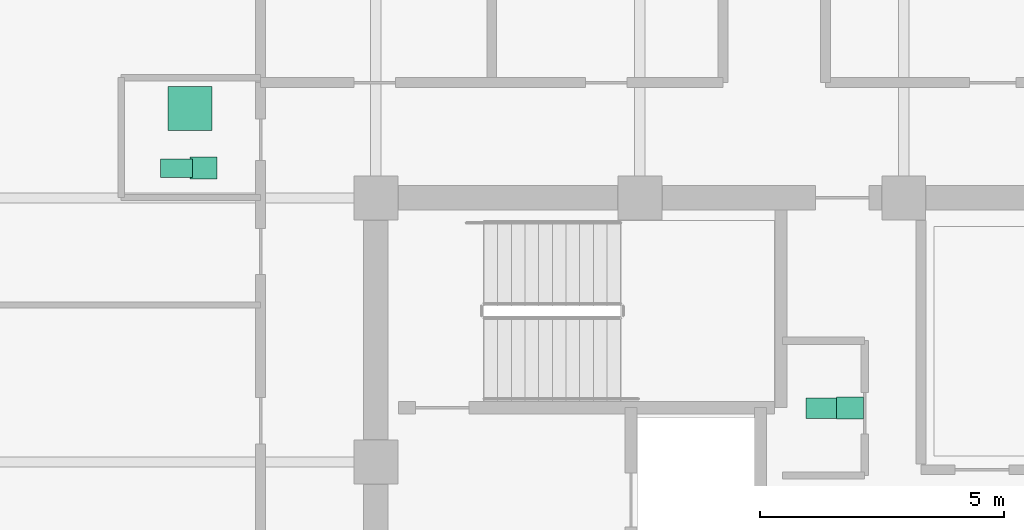
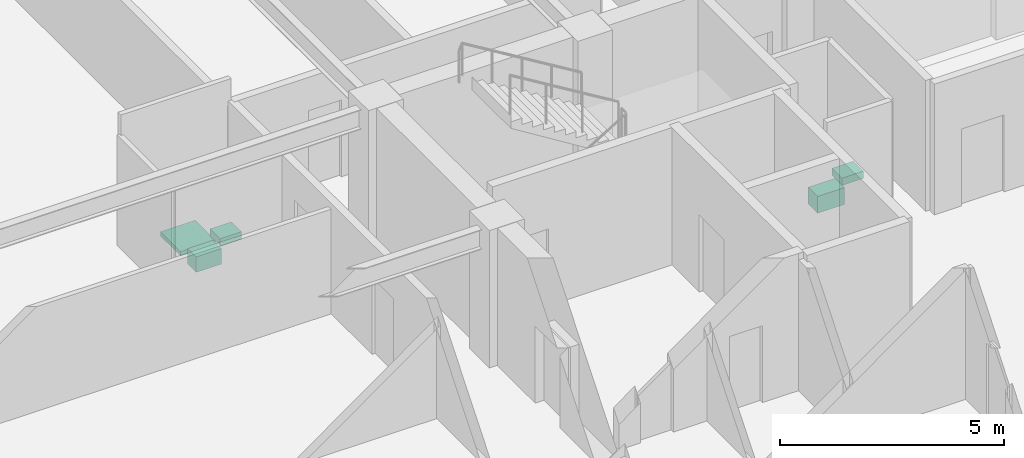
# One storey, part 30 of 30: 5 sanitary terminals.
"""IFC4 building model written with IfcOpenShell, lengths in metres."""

from ifc_helpers import new_model, si_unit, direction, frame, origin, origin_2d, place, context, subcontext, project, spatial, rectangle, extrude, material, type_object, element, save


model = new_model("IFC4")

# Units and contexts
model_context = context("Model", 3, precision=1e-05, world=origin(), true_north=direction((0.0, 1.0)))
body_context = subcontext(model_context, "Body", "Model", "MODEL_VIEW")
ifc_project = project(units=[si_unit("LENGTHUNIT", "METRE"), si_unit("AREAUNIT", "SQUARE_METRE"), si_unit("VOLUMEUNIT", "CUBIC_METRE"), si_unit("PLANEANGLEUNIT", "RADIAN"), si_unit("MASSUNIT", "GRAM", prefix="KILO")], contexts=[model_context])

# Site, building, storey
site_placement = place(None, origin())
site = spatial("IfcSite", under=ifc_project, at=site_placement, CompositionType="ELEMENT")
building_placement = place(site_placement, origin())
building = spatial("IfcBuilding", under=site, at=building_placement, Name="Surkhivell Harbour Commons", CompositionType="ELEMENT")
storey_placement = place(building_placement, frame((0.0, 0.0, 281.25)))
storey = spatial("IfcBuildingStorey", under=building, at=storey_placement, Name="L73", CompositionType="ELEMENT", Elevation=281.25)

# Sanitary terminals
ifc_material_1 = material(Name="Vitreous china washbasin", Category="other")
sanitary_terminal_type_1 = type_object("IfcSanitaryTerminalType", Name="SAN-BSN", PredefinedType="WASHHANDBASIN", material=ifc_material_1)
for number, where, z_axis, x_axis, name in (
    (1, (-1.10009765625, 6.5, 0.72021484375), (0.0, 0.0, 1.0), (1.0, 0.0, 0.0), "L73 Core Accessible WC Washbasin"),
    (2, (-14.330078125, 11.409912109375, 0.72021484375), (0.0, 0.0, 1.0), (1.0, 0.0, 0.0), "L73 West Communal Bathroom WC Washbasin"),
):
    element("IfcSanitaryTerminal", number, at=place(storey_placement, frame(where, z_axis=z_axis, x_axis=x_axis)), inside=storey, type_object=sanitary_terminal_type_1, Name=name, PredefinedType="WASHHANDBASIN", context=body_context, shape_type="SweptSolid", body=[
        extrude(rectangle(XDim=0.550048828125, YDim=0.449951171875, at=origin_2d()), origin(), (0.0, 0.0, 1.0), 0.199951171875),
    ])
ifc_material_2 = material(Name="Glazed porcelain shower tray", Category="other")
sanitary_terminal_type_2 = type_object("IfcSanitaryTerminalType", Name="SAN-SHW", PredefinedType="SHOWER", material=ifc_material_2)
sanitary_terminal_1_placement = place(storey_placement, frame((-14.60009765625, 12.6298828125, 0.0), z_axis=(0.0, 0.0, 1.0), x_axis=(1.0, 0.0, 0.0)))
element("IfcSanitaryTerminal", 3, at=sanitary_terminal_1_placement, inside=storey, type_object=sanitary_terminal_type_2, Name="L73 West Communal Shower Tray", PredefinedType="SHOWER", context=body_context, shape_type="SweptSolid", body=[
    extrude(rectangle(XDim=0.89990234375, YDim=0.89990234375, at=origin_2d()), origin(), (0.0, 0.0, 1.0), 0.1201171875),
])
ifc_material_3 = material(Name="Vitreous china sanitaryware", Category="other")
sanitary_terminal_type_3 = type_object("IfcSanitaryTerminalType", Name="SAN-WC-ACC", PredefinedType="TOILETPAN", material=ifc_material_3)
sanitary_terminal_2_placement = place(storey_placement, frame((-1.64990234375, 6.5, 0.169921875), z_axis=(0.0, 0.0, 1.0), x_axis=(1.0, 0.0, 0.0)))
element("IfcSanitaryTerminal", 4, at=sanitary_terminal_2_placement, inside=storey, type_object=sanitary_terminal_type_3, Name="L73 Core Accessible WC", PredefinedType="TOILETPAN", context=body_context, shape_type="SweptSolid", body=[
    extrude(rectangle(XDim=0.699951171875, YDim=0.419921875, at=origin_2d()), origin(), (0.0, 0.0, 1.0), 0.4599609375),
])
sanitary_terminal_type_4 = type_object("IfcSanitaryTerminalType", Name="SAN-WC-STD", PredefinedType="TOILETPAN", material=ifc_material_3)
sanitary_terminal_3_placement = place(storey_placement, frame((-14.8798828125, 11.409912109375, 0.18994140625), z_axis=(0.0, 0.0, 1.0), x_axis=(1.0, 0.0, 0.0)))
element("IfcSanitaryTerminal", 5, at=sanitary_terminal_3_placement, inside=storey, type_object=sanitary_terminal_type_4, Name="L73 West Communal Bathroom WC", PredefinedType="TOILETPAN", context=body_context, shape_type="SweptSolid", body=[
    extrude(rectangle(XDim=0.64990234375, YDim=0.3798828125, at=origin_2d()), origin(), (0.0, 0.0, 1.0), 0.419921875),
])

save(model, "model.ifc")
